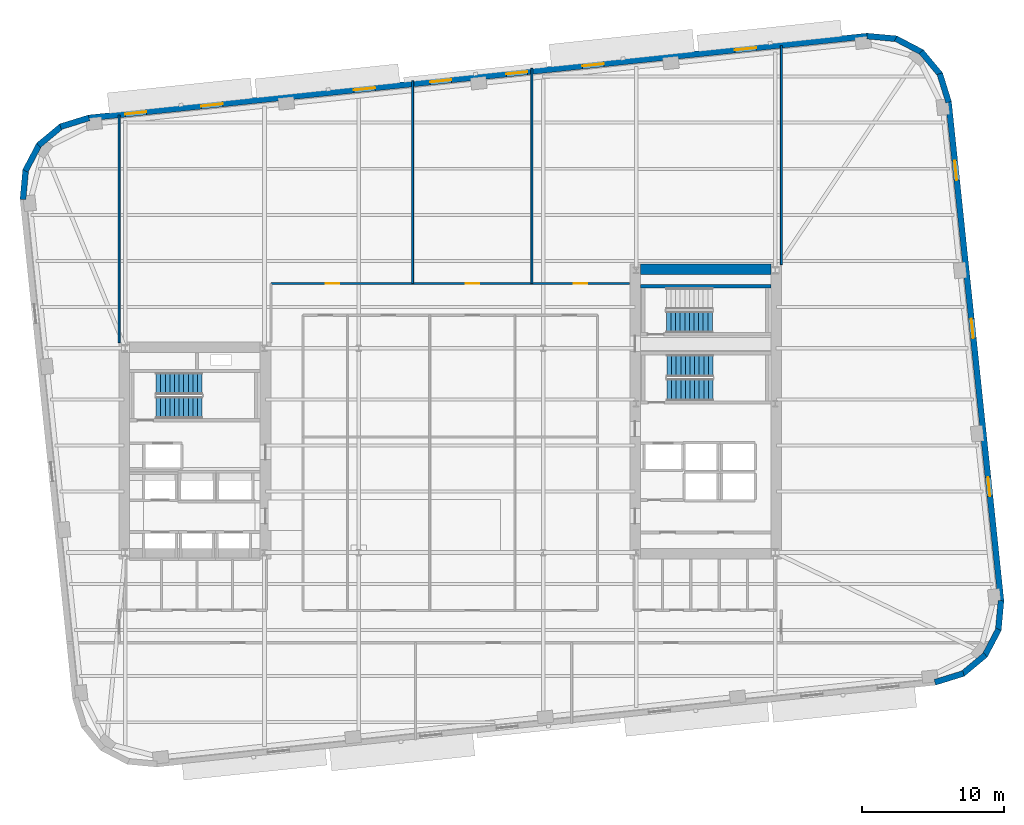
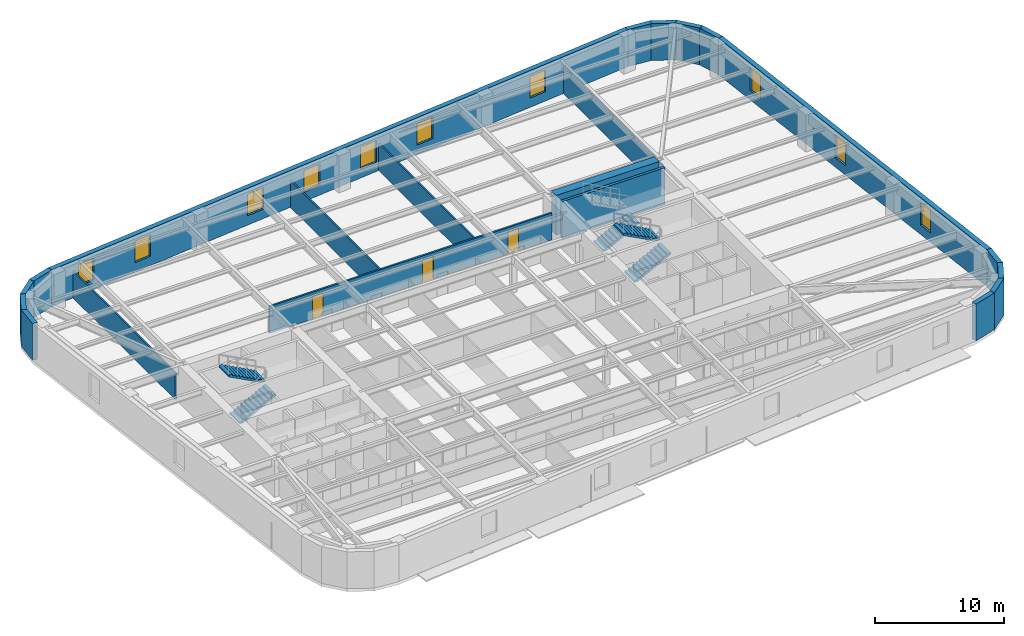
# One storey, part 7 of 12: 21 walls, 10 windows, 5 stair flights, 3 doors, 13 openings, 3 elements without a shape of their own.
"""IFC4 building model written with IfcOpenShell, lengths in metres."""

from ifc_helpers import new_model, si_unit, direction, frame, frame_2d, origin, place, context, subcontext, project, spatial, polyline, rectangle, outline, extrude, material, layer, layer_set, type_object, element, fill, aggregate, save


model = new_model("IFC4")

# Units and contexts
model_context = context("Model", 3, precision=1e-05, world=origin(), true_north=direction((0.0, 1.0)))
body_context = subcontext(model_context, "Body", "Model", "MODEL_VIEW")
ifc_project = project(units=[si_unit("LENGTHUNIT", "METRE"), si_unit("AREAUNIT", "SQUARE_METRE"), si_unit("VOLUMEUNIT", "CUBIC_METRE"), si_unit("PLANEANGLEUNIT", "RADIAN"), si_unit("MASSUNIT", "GRAM", prefix="KILO")], contexts=[model_context])

# Site, building, storey
site_placement = place(None, origin())
site = spatial("IfcSite", under=ifc_project, at=site_placement, CompositionType="ELEMENT")
building_placement = place(site_placement, origin())
building = spatial("IfcBuilding", under=site, at=building_placement, Name="Kolvaren Arena Tower", CompositionType="ELEMENT")
storey_placement = place(building_placement, frame((0.0, 0.0, 138.25)))
storey = spatial("IfcBuildingStorey", under=building, at=storey_placement, Name="L32", CompositionType="ELEMENT", Elevation=138.25)

# Wall, openings, doors
ifc_material_1 = material(Name="Gypsum board acoustic assembly", Category="gypsum")
ifc_layer_1 = layer(ifc_material_1, 0.159912109375)
ifc_layer_set_1 = layer_set([ifc_layer_1], Name="Gypsum board acoustic assembly")
wall_type_1 = type_object("IfcWallType", Name="CORR-160", PredefinedType="PARTITIONING", material=ifc_layer_set_1)
wall_1_placement = place(storey_placement, frame((24.820068359375, 38.419921875, 0.0), z_axis=(0.0, 0.0, 1.0), x_axis=(1.0, 0.0, 0.0)))
wall_1 = element("IfcWall", 1, at=wall_1_placement, inside=storey, type_object=wall_type_1, Name="Interior Partition Wall (L32)", PredefinedType="PARTITIONING", context=body_context, shape_type="SweptSolid", body=[
    extrude(rectangle(XDim=25.260009765625, YDim=0.159912109375, at=frame_2d((12.6298828125, 0.0))), origin(), (0.0, 0.0, 1.0), 2.5400390625),
])
opening_1_placement = place(wall_1_placement, frame((3.85498046875, 0.0, 0.0)))
opening_1 = element("IfcOpeningElement", 2, at=opening_1_placement, cuts=wall_1, Name="Opening D05", PredefinedType="OPENING", context=body_context, shape_type="SweptSolid", body=[
    extrude(rectangle(XDim=0.949951171875, YDim=2.14990234375, at=frame_2d((0.47509765625, 1.074951171875))), frame((0.0, 0.08984375, 0.0), z_axis=(0.0, -1.0, 0.0), x_axis=(1.0, 0.0, 0.0)), (0.0, 0.0, 1.0), 0.179931640625),
])
opening_2_placement = place(wall_1_placement, frame((13.705078125, 0.0, 0.0)))
opening_2 = element("IfcOpeningElement", 3, at=opening_2_placement, cuts=wall_1, Name="Opening D05", PredefinedType="OPENING", context=body_context, shape_type="SweptSolid", body=[
    extrude(rectangle(XDim=0.949951171875, YDim=2.14990234375, at=frame_2d((0.47509765625, 1.074951171875))), frame((0.0, 0.08984375, 0.0), z_axis=(0.0, -1.0, 0.0), x_axis=(1.0, 0.0, 0.0)), (0.0, 0.0, 1.0), 0.179931640625),
])
opening_3_placement = place(wall_1_placement, frame((21.330078125, 0.0, 0.0)))
opening_3 = element("IfcOpeningElement", 4, at=opening_3_placement, cuts=wall_1, Name="Opening D05", PredefinedType="OPENING", context=body_context, shape_type="SweptSolid", body=[
    extrude(rectangle(XDim=0.949951171875, YDim=2.14990234375, at=frame_2d((0.47509765625, 1.074951171875))), frame((0.0, 0.08984375, 0.0), z_axis=(0.0, -1.0, 0.0), x_axis=(1.0, 0.0, 0.0)), (0.0, 0.0, 1.0), 0.179931640625),
])
ifc_material_2 = material(Name="Solid-core oak acoustic office door", Category="wood")
door_type = type_object("IfcDoorType", Name="DOOR-OF-095", OperationType="NOTDEFINED", PredefinedType="DOOR", material=ifc_material_2)
door_1_placement = place(opening_1_placement, origin())
door_1 = element("IfcDoor", 5, at=door_1_placement, inside=storey, type_object=door_type, Name="Design Studio Door (L32)", OperationType="SINGLE_SWING_LEFT", OverallHeight=2.14990234375, OverallWidth=0.949951171875, PredefinedType="DOOR", context=body_context, shape_type="SweptSolid", body=[
    extrude(rectangle(XDim=0.949951171875, YDim=2.14990234375, at=frame_2d((0.47509765625, 1.074951171875))), frame((0.0, 0.02490234375, 0.0), z_axis=(0.0, -1.0, 0.0), x_axis=(1.0, 0.0, 0.0)), (0.0, 0.0, 1.0), 0.050048828125),
])
fill(opening_1, door_1)
door_2_placement = place(opening_2_placement, origin())
door_2 = element("IfcDoor", 6, at=door_2_placement, inside=storey, type_object=door_type, Name="Corporate Project Office Door (L32)", OperationType="SINGLE_SWING_RIGHT", OverallHeight=2.14990234375, OverallWidth=0.949951171875, PredefinedType="DOOR", context=body_context, shape_type="SweptSolid", body=[
    extrude(rectangle(XDim=0.949951171875, YDim=2.14990234375, at=frame_2d((0.47509765625, 1.074951171875))), frame((0.0, 0.02490234375, 0.0), z_axis=(0.0, -1.0, 0.0), x_axis=(1.0, 0.0, 0.0)), (0.0, 0.0, 1.0), 0.050048828125),
])
fill(opening_2, door_2)
door_3_placement = place(opening_3_placement, origin())
door_3 = element("IfcDoor", 7, at=door_3_placement, inside=storey, type_object=door_type, Name="Breakout Pantry and Kitchen Door (L32)", OperationType="SINGLE_SWING_LEFT", OverallHeight=2.14990234375, OverallWidth=0.949951171875, PredefinedType="DOOR", context=body_context, shape_type="SweptSolid", body=[
    extrude(rectangle(XDim=0.949951171875, YDim=2.14990234375, at=frame_2d((0.47509765625, 1.074951171875))), frame((0.0, 0.02490234375, 0.0), z_axis=(0.0, -1.0, 0.0), x_axis=(1.0, 0.0, 0.0)), (0.0, 0.0, 1.0), 0.050048828125),
])
fill(opening_3, door_3)

# Walls
ifc_material_3 = material(Name="Concrete 70 MPa", Category="concrete")
ifc_layer_2 = layer(ifc_material_3, 0.75)
ifc_layer_set_2 = layer_set([ifc_layer_2], Name="Concrete 70 MPa")
wall_type_2 = type_object("IfcWallType", Name="CWALL-750", PredefinedType="SHEAR", material=ifc_layer_set_2)
wall_2_placement = place(storey_placement, frame((50.85009765625, 39.425048828125, -0.27001953125), z_axis=(0.0, 0.0, 1.0), x_axis=(1.0, 0.0, 0.0)))
element("IfcWall", 8, at=wall_2_placement, inside=storey, type_object=wall_type_2, Name="Core Shear Wall EC-NORTH (L32)", PredefinedType="SHEAR", context=body_context, shape_type="SweptSolid", body=[
    extrude(rectangle(XDim=9.199951171875, YDim=0.75, at=frame_2d((4.60009765625, 0.0))), origin(), (0.0, 0.0, 1.0), 3.75),
])
ifc_material_4 = material(Name="Precast concrete C50/60", Category="concrete")
ifc_layer_3 = layer(ifc_material_4, 0.419921875)
ifc_layer_set_3 = layer_set([ifc_layer_3], Name="Precast concrete C50/60")
wall_type_3 = type_object("IfcWallType", Name="EXT-PIER1", PredefinedType="SOLIDWALL", material=ifc_layer_set_3)
for number, where, z_axis, x_axis, name in (
    (9, (73.61328125, 10.93701171875, 0.0), (0.0, 0.0, 1.0), (-0.954993985335, -0.296625164093, 0.0), "Exterior Precast Masonry-Frame Wall (L32)"),
    (10, (75.1611328125, 12.2451171875, 0.0), (0.0, 0.0, 1.0), (-0.768800317178, -0.639488914921, 0.0), "Exterior Precast Masonry-Frame Wall (L32)"),
):
    element("IfcWall", number, at=place(storey_placement, frame(where, z_axis=z_axis, x_axis=x_axis)), inside=storey, type_object=wall_type_3, Name=name, PredefinedType="SOLIDWALL", context=body_context, shape_type="SweptSolid", body=[
        extrude(rectangle(XDim=2.10693359375, YDim=0.419921875, at=frame_2d((1.053466796875, 0.0))), origin(), (0.0, 0.0, 1.0), 3.47998046875),
    ])
wall_3_placement = place(storey_placement, frame((76.0908203125, 14.046142578125, 0.0), z_axis=(0.0, 0.0, 1.0), x_axis=(-0.465655699908, -0.884965970613, 0.0)))
element("IfcWall", 11, at=wall_3_placement, inside=storey, type_object=wall_type_3, Name="Exterior Precast Masonry-Frame Wall (L32)", PredefinedType="SOLIDWALL", context=body_context, shape_type="SweptSolid", body=[
    extrude(rectangle(XDim=2.107177734375, YDim=0.419921875, at=frame_2d((1.0537109375, 0.0))), origin(), (0.0, 0.0, 1.0), 3.47998046875),
])
wall_4_placement = place(storey_placement, frame((76.26025390625, 16.065673828125, 0.0), z_axis=(0.0, 0.0, 1.0), x_axis=(-0.091538655308, -0.995801523691, 0.0)))
element("IfcWall", 12, at=wall_4_placement, inside=storey, type_object=wall_type_3, Name="Exterior Precast Masonry-Frame Wall (L32)", PredefinedType="SOLIDWALL", context=body_context, shape_type="SweptSolid", body=[
    extrude(rectangle(XDim=2.10693359375, YDim=0.419921875, at=frame_2d((1.053466796875, 0.0))), origin(), (0.0, 0.0, 1.0), 3.47998046875),
])

# Wall, openings, windows
wall_5_placement = place(storey_placement, frame((72.560302734375, 51.23046875, 0.0), z_axis=(0.0, 0.0, 1.0), x_axis=(0.1045253859, -0.994522218808, 0.0)))
wall_5 = element("IfcWall", 13, at=wall_5_placement, inside=storey, type_object=wall_type_3, Name="Exterior Precast Masonry-Frame Wall (L32)", PredefinedType="SOLIDWALL", context=body_context, shape_type="SweptSolid", body=[
    extrude(rectangle(XDim=35.39990234375, YDim=0.419921875, at=frame_2d((17.699951171875, 0.0))), origin(), (0.0, 0.0, 1.0), 3.47998046875),
])
opening_4_placement = place(wall_5_placement, frame((4.199951171875, 0.0, 0.8798828125)))
opening_4 = element("IfcOpeningElement", 14, at=opening_4_placement, cuts=wall_5, Name="Opening W04", PredefinedType="OPENING", context=body_context, shape_type="SweptSolid", body=[
    extrude(rectangle(XDim=1.35009765625, YDim=2.199951171875, at=frame_2d((0.675048828125, 1.10009765625))), frame((0.0, 0.219970703125, 0.0), z_axis=(0.0, -1.0, 0.0), x_axis=(1.0, 0.0, 0.0)), (0.0, 0.0, 1.0), 0.43994140625),
])
opening_5_placement = place(wall_5_placement, frame((15.39990234375, 0.0, 0.8798828125)))
opening_5 = element("IfcOpeningElement", 15, at=opening_5_placement, cuts=wall_5, Name="Opening W04", PredefinedType="OPENING", context=body_context, shape_type="SweptSolid", body=[
    extrude(rectangle(XDim=1.35009765625, YDim=2.199951171875, at=frame_2d((0.675048828125, 1.10009765625))), frame((0.0, 0.219970703125, 0.0), z_axis=(0.0, -1.0, 0.0), x_axis=(1.0, 0.0, 0.0)), (0.0, 0.0, 1.0), 0.43994140625),
])
opening_6_placement = place(wall_5_placement, frame((26.60009765625, 0.0, 0.8798828125)))
opening_6 = element("IfcOpeningElement", 16, at=opening_6_placement, cuts=wall_5, Name="Opening W04", PredefinedType="OPENING", context=body_context, shape_type="SweptSolid", body=[
    extrude(rectangle(XDim=1.35009765625, YDim=2.199951171875, at=frame_2d((0.675048828125, 1.10009765625))), frame((0.0, 0.219970703125, 0.0), z_axis=(0.0, -1.0, 0.0), x_axis=(1.0, 0.0, 0.0)), (0.0, 0.0, 1.0), 0.43994140625),
])
ifc_material_5 = material(Name="Triple-glazed curved-facet corner window", Category="glass")
window_type_1 = type_object("IfcWindowType", Name="WIN-CRN-A", PartitioningType="SINGLE_PANEL", PredefinedType="WINDOW", material=ifc_material_5)
window_1_placement = place(opening_4_placement, origin())
window_1 = element("IfcWindow", 17, at=window_1_placement, inside=storey, type_object=window_type_1, Name="End-Wall Punched Window (L32)", OverallHeight=2.199951171875, OverallWidth=1.35009765625, PartitioningType="SINGLE_PANEL", PredefinedType="WINDOW", context=body_context, shape_type="SweptSolid", body=[
    extrude(rectangle(XDim=1.35009765625, YDim=2.199951171875, at=frame_2d((0.675048828125, 1.10009765625))), frame((0.0, 0.030029296875, 0.0), z_axis=(0.0, -1.0, 0.0), x_axis=(1.0, 0.0, 0.0)), (0.0, 0.0, 1.0), 0.06005859375),
])
fill(opening_4, window_1)
window_2_placement = place(opening_5_placement, origin())
window_2 = element("IfcWindow", 18, at=window_2_placement, inside=storey, type_object=window_type_1, Name="End-Wall Punched Window (L32)", OverallHeight=2.199951171875, OverallWidth=1.35009765625, PartitioningType="SINGLE_PANEL", PredefinedType="WINDOW", context=body_context, shape_type="SweptSolid", body=[
    extrude(rectangle(XDim=1.35009765625, YDim=2.199951171875, at=frame_2d((0.675048828125, 1.10009765625))), frame((0.0, 0.030029296875, 0.0), z_axis=(0.0, -1.0, 0.0), x_axis=(1.0, 0.0, 0.0)), (0.0, 0.0, 1.0), 0.06005859375),
])
fill(opening_5, window_2)
window_3_placement = place(opening_6_placement, origin())
window_3 = element("IfcWindow", 19, at=window_3_placement, inside=storey, type_object=window_type_1, Name="End-Wall Punched Window (L32)", OverallHeight=2.199951171875, OverallWidth=1.35009765625, PartitioningType="SINGLE_PANEL", PredefinedType="WINDOW", context=body_context, shape_type="SweptSolid", body=[
    extrude(rectangle(XDim=1.35009765625, YDim=2.199951171875, at=frame_2d((0.675048828125, 1.10009765625))), frame((0.0, 0.030029296875, 0.0), z_axis=(0.0, -1.0, 0.0), x_axis=(1.0, 0.0, 0.0)), (0.0, 0.0, 1.0), 0.06005859375),
])
fill(opening_6, window_3)

# Walls
for number, where, z_axis, x_axis, name in (
    (20, (71.943603515625, 53.202392578125, 0.0), (0.0, 0.0, 1.0), (0.296625164093, -0.954993985335, 0.0), "Exterior Precast Masonry-Frame Wall (L32)"),
    (21, (70.635498046875, 54.750244140625, 0.0), (0.0, 0.0, 1.0), (0.639488914921, -0.768800317178, 0.0), "Exterior Precast Masonry-Frame Wall (L32)"),
    (22, (68.83447265625, 55.6796875, 0.0), (0.0, 0.0, 1.0), (0.885013714693, -0.465564952296, 0.0), "Exterior Precast Masonry-Frame Wall (L32)"),
    (23, (66.81494140625, 55.849365234375, 0.0), (0.0, 0.0, 1.0), (0.995801523691, -0.091538655308, 0.0), "Exterior Precast Masonry-Frame Wall (L32)"),
):
    element("IfcWall", number, at=place(storey_placement, frame(where, z_axis=z_axis, x_axis=x_axis)), inside=storey, type_object=wall_type_3, Name=name, PredefinedType="SOLIDWALL", context=body_context, shape_type="SweptSolid", body=[
        extrude(rectangle(XDim=2.10693359375, YDim=0.419921875, at=frame_2d((1.053466796875, 0.0))), origin(), (0.0, 0.0, 1.0), 3.47998046875),
    ])

# Wall, openings, windows
wall_6_placement = place(storey_placement, frame((11.95849609375, 50.07958984375, 0.0), z_axis=(0.0, 0.0, 1.0), x_axis=(0.994521823388, 0.104529148113, 0.0)))
wall_6 = element("IfcWall", 24, at=wall_6_placement, inside=storey, type_object=wall_type_3, Name="Exterior Precast Masonry-Frame Wall (L32)", PredefinedType="SOLIDWALL", context=body_context, shape_type="SweptSolid", body=[
    extrude(rectangle(XDim=55.2001953125, YDim=0.419921875, at=frame_2d((27.60009765625, 0.0))), origin(), (0.0, 0.0, 1.0), 3.47998046875),
])
opening_7_placement = place(wall_6_placement, frame((2.60009765625, 0.0, 0.8798828125)))
opening_7 = element("IfcOpeningElement", 25, at=opening_7_placement, cuts=wall_6, Name="Opening W03", PredefinedType="OPENING", context=body_context, shape_type="SweptSolid", body=[
    extrude(rectangle(XDim=1.5, YDim=2.050048828125, at=frame_2d((0.75, 1.02490234375))), frame((0.0, 0.219970703125, 0.0), z_axis=(0.0, -1.0, 0.0), x_axis=(1.0, 0.0, 0.0)), (0.0, 0.0, 1.0), 0.43994140625),
])
opening_8_placement = place(wall_6_placement, frame((8.0, 0.0, 0.8798828125)))
opening_8 = element("IfcOpeningElement", 26, at=opening_8_placement, cuts=wall_6, Name="Opening W03", PredefinedType="OPENING", context=body_context, shape_type="SweptSolid", body=[
    extrude(rectangle(XDim=1.5, YDim=2.050048828125, at=frame_2d((0.75, 1.02490234375))), frame((0.0, 0.219970703125, 0.0), z_axis=(0.0, -1.0, 0.0), x_axis=(1.0, 0.0, 0.0)), (0.0, 0.0, 1.0), 0.43994140625),
])
opening_9_placement = place(wall_6_placement, frame((18.800048828125, 0.0, 0.8798828125)))
opening_9 = element("IfcOpeningElement", 27, at=opening_9_placement, cuts=wall_6, Name="Opening W03", PredefinedType="OPENING", context=body_context, shape_type="SweptSolid", body=[
    extrude(rectangle(XDim=1.5, YDim=2.050048828125, at=frame_2d((0.75, 1.02490234375))), frame((0.0, 0.219970703125, 0.0), z_axis=(0.0, -1.0, 0.0), x_axis=(1.0, 0.0, 0.0)), (0.0, 0.0, 1.0), 0.43994140625),
])
opening_10_placement = place(wall_6_placement, frame((24.199951171875, 0.0, 0.8798828125)))
opening_10 = element("IfcOpeningElement", 28, at=opening_10_placement, cuts=wall_6, Name="Opening W03", PredefinedType="OPENING", context=body_context, shape_type="SweptSolid", body=[
    extrude(rectangle(XDim=1.5, YDim=2.050048828125, at=frame_2d((0.75, 1.02490234375))), frame((0.0, 0.219970703125, 0.0), z_axis=(0.0, -1.0, 0.0), x_axis=(1.0, 0.0, 0.0)), (0.0, 0.0, 1.0), 0.43994140625),
])
opening_11_placement = place(wall_6_placement, frame((29.60009765625, 0.0, 0.8798828125)))
opening_11 = element("IfcOpeningElement", 29, at=opening_11_placement, cuts=wall_6, Name="Opening W03", PredefinedType="OPENING", context=body_context, shape_type="SweptSolid", body=[
    extrude(rectangle(XDim=1.5, YDim=2.050048828125, at=frame_2d((0.75, 1.02490234375))), frame((0.0, 0.219970703125, 0.0), z_axis=(0.0, -1.0, 0.0), x_axis=(1.0, 0.0, 0.0)), (0.0, 0.0, 1.0), 0.43994140625),
])
opening_12_placement = place(wall_6_placement, frame((35.0, 0.0, 0.8798828125)))
opening_12 = element("IfcOpeningElement", 30, at=opening_12_placement, cuts=wall_6, Name="Opening W03", PredefinedType="OPENING", context=body_context, shape_type="SweptSolid", body=[
    extrude(rectangle(XDim=1.5, YDim=2.050048828125, at=frame_2d((0.75, 1.02490234375))), frame((0.0, 0.219970703125, 0.0), z_axis=(0.0, -1.0, 0.0), x_axis=(1.0, 0.0, 0.0)), (0.0, 0.0, 1.0), 0.43994140625),
])
opening_13_placement = place(wall_6_placement, frame((45.800048828125, 0.0, 0.8798828125)))
opening_13 = element("IfcOpeningElement", 31, at=opening_13_placement, cuts=wall_6, Name="Opening W03", PredefinedType="OPENING", context=body_context, shape_type="SweptSolid", body=[
    extrude(rectangle(XDim=1.5, YDim=2.050048828125, at=frame_2d((0.75, 1.02490234375))), frame((0.0, 0.219970703125, 0.0), z_axis=(0.0, -1.0, 0.0), x_axis=(1.0, 0.0, 0.0)), (0.0, 0.0, 1.0), 0.43994140625),
])
ifc_material_6 = material(Name="Triple-glazed low-E aluminium window", Category="aluminium")
window_type_2 = type_object("IfcWindowType", Name="WIN-OFF-C", PartitioningType="SINGLE_PANEL", PredefinedType="WINDOW", material=ifc_material_6)
window_4_placement = place(opening_7_placement, origin())
window_4 = element("IfcWindow", 32, at=window_4_placement, inside=storey, type_object=window_type_2, Name="Punched Precast-Pier Window (L32)", OverallHeight=2.050048828125, OverallWidth=1.5, PartitioningType="SINGLE_PANEL", PredefinedType="WINDOW", context=body_context, shape_type="SweptSolid", body=[
    extrude(rectangle(XDim=1.5, YDim=2.050048828125, at=frame_2d((0.75, 1.02490234375))), frame((0.0, 0.030029296875, 0.0), z_axis=(0.0, -1.0, 0.0), x_axis=(1.0, 0.0, 0.0)), (0.0, 0.0, 1.0), 0.06005859375),
])
fill(opening_7, window_4)
window_5_placement = place(opening_8_placement, origin())
window_5 = element("IfcWindow", 33, at=window_5_placement, inside=storey, type_object=window_type_2, Name="Punched Precast-Pier Window (L32)", OverallHeight=2.050048828125, OverallWidth=1.5, PartitioningType="SINGLE_PANEL", PredefinedType="WINDOW", context=body_context, shape_type="SweptSolid", body=[
    extrude(rectangle(XDim=1.5, YDim=2.050048828125, at=frame_2d((0.75, 1.02490234375))), frame((0.0, 0.030029296875, 0.0), z_axis=(0.0, -1.0, 0.0), x_axis=(1.0, 0.0, 0.0)), (0.0, 0.0, 1.0), 0.06005859375),
])
fill(opening_8, window_5)
window_6_placement = place(opening_9_placement, origin())
window_6 = element("IfcWindow", 34, at=window_6_placement, inside=storey, type_object=window_type_2, Name="Punched Precast-Pier Window (L32)", OverallHeight=2.050048828125, OverallWidth=1.5, PartitioningType="SINGLE_PANEL", PredefinedType="WINDOW", context=body_context, shape_type="SweptSolid", body=[
    extrude(rectangle(XDim=1.5, YDim=2.050048828125, at=frame_2d((0.75, 1.02490234375))), frame((0.0, 0.030029296875, 0.0), z_axis=(0.0, -1.0, 0.0), x_axis=(1.0, 0.0, 0.0)), (0.0, 0.0, 1.0), 0.06005859375),
])
fill(opening_9, window_6)
window_7_placement = place(opening_10_placement, origin())
window_7 = element("IfcWindow", 35, at=window_7_placement, inside=storey, type_object=window_type_2, Name="Punched Precast-Pier Window (L32)", OverallHeight=2.050048828125, OverallWidth=1.5, PartitioningType="SINGLE_PANEL", PredefinedType="WINDOW", context=body_context, shape_type="SweptSolid", body=[
    extrude(rectangle(XDim=1.5, YDim=2.050048828125, at=frame_2d((0.75, 1.02490234375))), frame((0.0, 0.030029296875, 0.0), z_axis=(0.0, -1.0, 0.0), x_axis=(1.0, 0.0, 0.0)), (0.0, 0.0, 1.0), 0.06005859375),
])
fill(opening_10, window_7)
window_8_placement = place(opening_11_placement, origin())
window_8 = element("IfcWindow", 36, at=window_8_placement, inside=storey, type_object=window_type_2, Name="Punched Precast-Pier Window (L32)", OverallHeight=2.050048828125, OverallWidth=1.5, PartitioningType="SINGLE_PANEL", PredefinedType="WINDOW", context=body_context, shape_type="SweptSolid", body=[
    extrude(rectangle(XDim=1.5, YDim=2.050048828125, at=frame_2d((0.75, 1.02490234375))), frame((0.0, 0.030029296875, 0.0), z_axis=(0.0, -1.0, 0.0), x_axis=(1.0, 0.0, 0.0)), (0.0, 0.0, 1.0), 0.06005859375),
])
fill(opening_11, window_8)
window_9_placement = place(opening_12_placement, origin())
window_9 = element("IfcWindow", 37, at=window_9_placement, inside=storey, type_object=window_type_2, Name="Punched Precast-Pier Window (L32)", OverallHeight=2.050048828125, OverallWidth=1.5, PartitioningType="SINGLE_PANEL", PredefinedType="WINDOW", context=body_context, shape_type="SweptSolid", body=[
    extrude(rectangle(XDim=1.5, YDim=2.050048828125, at=frame_2d((0.75, 1.02490234375))), frame((0.0, 0.030029296875, 0.0), z_axis=(0.0, -1.0, 0.0), x_axis=(1.0, 0.0, 0.0)), (0.0, 0.0, 1.0), 0.06005859375),
])
fill(opening_12, window_9)
window_10_placement = place(opening_13_placement, origin())
window_10 = element("IfcWindow", 38, at=window_10_placement, inside=storey, type_object=window_type_2, Name="Punched Precast-Pier Window (L32)", OverallHeight=2.050048828125, OverallWidth=1.5, PartitioningType="SINGLE_PANEL", PredefinedType="WINDOW", context=body_context, shape_type="SweptSolid", body=[
    extrude(rectangle(XDim=1.5, YDim=2.050048828125, at=frame_2d((0.75, 1.02490234375))), frame((0.0, 0.030029296875, 0.0), z_axis=(0.0, -1.0, 0.0), x_axis=(1.0, 0.0, 0.0)), (0.0, 0.0, 1.0), 0.06005859375),
])
fill(opening_13, window_10)

# Walls
wall_7_placement = place(storey_placement, frame((9.98681640625, 49.463134765625, 0.0), z_axis=(0.0, 0.0, 1.0), x_axis=(0.955016613791, 0.296552301261, 0.0)))
element("IfcWall", 39, at=wall_7_placement, inside=storey, type_object=wall_type_3, Name="Exterior Precast Masonry-Frame Wall (L32)", PredefinedType="SOLIDWALL", context=body_context, shape_type="SweptSolid", body=[
    extrude(rectangle(XDim=2.106689453125, YDim=0.419921875, at=frame_2d((1.05322265625, 0.0))), origin(), (0.0, 0.0, 1.0), 3.47998046875),
])
wall_8_placement = place(storey_placement, frame((8.438720703125, 48.15478515625, 0.0), z_axis=(0.0, 0.0, 1.0), x_axis=(0.768800317178, 0.639488914921, 0.0)))
element("IfcWall", 40, at=wall_8_placement, inside=storey, type_object=wall_type_3, Name="Exterior Precast Masonry-Frame Wall (L32)", PredefinedType="SOLIDWALL", context=body_context, shape_type="SweptSolid", body=[
    extrude(rectangle(XDim=2.10693359375, YDim=0.419921875, at=frame_2d((1.053466796875, 0.0))), origin(), (0.0, 0.0, 1.0), 3.47998046875),
])
wall_9_placement = place(storey_placement, frame((7.50927734375, 46.35400390625, 0.0), z_axis=(0.0, 0.0, 1.0), x_axis=(0.465612698516, 0.884988595961, 0.0)))
element("IfcWall", 41, at=wall_9_placement, inside=storey, type_object=wall_type_3, Name="Exterior Precast Masonry-Frame Wall (L32)", PredefinedType="SOLIDWALL", context=body_context, shape_type="SweptSolid", body=[
    extrude(rectangle(XDim=2.106689453125, YDim=0.419921875, at=frame_2d((1.05322265625, 0.0))), origin(), (0.0, 0.0, 1.0), 3.47998046875),
])
wall_10_placement = place(storey_placement, frame((7.339599609375, 44.33447265625, 0.0), z_axis=(0.0, 0.0, 1.0), x_axis=(0.091538655308, 0.995801523691, 0.0)))
element("IfcWall", 42, at=wall_10_placement, inside=storey, type_object=wall_type_3, Name="Exterior Precast Masonry-Frame Wall (L32)", PredefinedType="SOLIDWALL", context=body_context, shape_type="SweptSolid", body=[
    extrude(rectangle(XDim=2.10693359375, YDim=0.419921875, at=frame_2d((1.053466796875, 0.0))), origin(), (0.0, 0.0, 1.0), 3.47998046875),
])
ifc_material_7 = material(Name="Gypsum board partition assembly", Category="gypsum")
ifc_layer_4 = layer(ifc_material_7, 0.135009765625)
ifc_layer_set_4 = layer_set([ifc_layer_4], Name="Gypsum board partition assembly")
wall_type_4 = type_object("IfcWallType", Name="PART-135", PredefinedType="PARTITIONING", material=ifc_layer_set_4)
wall_11_placement = place(storey_placement, frame((34.800048828125, 38.419921875, 0.0), z_axis=(0.0, 0.0, 1.0), x_axis=(0.0, 1.0, 0.0)))
element("IfcWall", 43, at=wall_11_placement, inside=storey, type_object=wall_type_4, Name="Interior Partition Wall (L32)", PredefinedType="PARTITIONING", context=body_context, shape_type="SweptSolid", body=[
    extrude(rectangle(XDim=14.271484375, YDim=0.135009765625, at=frame_2d((7.1357421875, 0.0))), origin(), (0.0, 0.0, 1.0), 2.5400390625),
])
wall_12_placement = place(storey_placement, frame((43.199951171875, 38.419921875, 0.0), z_axis=(0.0, 0.0, 1.0), x_axis=(0.0, 1.0, 0.0)))
element("IfcWall", 44, at=wall_12_placement, inside=storey, type_object=wall_type_4, Name="Interior Partition Wall (L32)", PredefinedType="PARTITIONING", context=body_context, shape_type="SweptSolid", body=[
    extrude(rectangle(XDim=15.154541015625, YDim=0.135009765625, at=frame_2d((7.5771484375, 0.0))), origin(), (0.0, 0.0, 1.0), 2.5400390625),
])
wall_13_placement = place(storey_placement, frame((14.1201171875, 34.25, 0.0), z_axis=(0.0, 0.0, 1.0), x_axis=(0.0, 1.0, 0.0)))
element("IfcWall", 45, at=wall_13_placement, inside=storey, type_object=wall_type_4, Name="Interior Partition Wall (L32)", PredefinedType="PARTITIONING", context=body_context, shape_type="SweptSolid", body=[
    extrude(rectangle(XDim=16.026611328125, YDim=0.135009765625, at=frame_2d((8.01318359375, 0.0))), origin(), (0.0, 0.0, 1.0), 2.5400390625),
])
wall_14_placement = place(storey_placement, frame((60.780029296875, 39.75, 0.0), z_axis=(0.0, 0.0, 1.0), x_axis=(0.0, 1.0, 0.0)))
element("IfcWall", 46, at=wall_14_placement, inside=storey, type_object=wall_type_4, Name="Interior Partition Wall (L32)", PredefinedType="PARTITIONING", context=body_context, shape_type="SweptSolid", body=[
    extrude(rectangle(XDim=15.430908203125, YDim=0.135009765625, at=frame_2d((7.71533203125, 0.0))), origin(), (0.0, 0.0, 1.0), 2.5400390625),
])
ifc_material_8 = material(Name="Concrete 45 MPa", Category="concrete")
ifc_layer_5 = layer(ifc_material_8, 0.25)
ifc_layer_set_5 = layer_set([ifc_layer_5], Name="Concrete 45 MPa")
wall_type_5 = type_object("IfcWallType", Name="SHAFT-250", PredefinedType="SOLIDWALL", material=ifc_layer_set_5)
wall_15_placement = place(storey_placement, frame((50.85009765625, 38.219970703125, 0.0), z_axis=(0.0, 0.0, 1.0), x_axis=(1.0, 0.0, 0.0)))
element("IfcWall", 47, at=wall_15_placement, inside=storey, type_object=wall_type_5, Name="Core Shaft Wall (L32)", PredefinedType="SOLIDWALL", context=body_context, shape_type="SweptSolid", body=[
    extrude(rectangle(XDim=9.199951171875, YDim=0.239990234375, at=frame_2d((4.60009765625, 0.0))), origin(), (0.0, 0.0, 1.0), 3.47998046875),
])

# Stair, stair flight
stair_type_1 = type_object("IfcStairType", Name="STAIR-CORE-150", PredefinedType="HALF_TURN_STAIR", material=ifc_material_8)
stair_1_placement = place(storey_placement, origin())
stair_1 = element("IfcStair", 48, at=stair_1_placement, inside=storey, type_object=stair_type_1, Name="L32 ST-E2", PredefinedType="HALF_TURN_STAIR")
stair_flight_type_1 = type_object("IfcStairFlightType", Name="FLT-150", PredefinedType="STRAIGHT", material=ifc_material_8)
stair_flight_1_placement = place(storey_placement, frame((52.679931640625, 35.699951171875, 0.0), z_axis=(0.0, 0.0, 1.0), x_axis=(1.0, 0.0, 0.0)))
stair_flight_1 = element("IfcStairFlight", 49, at=stair_flight_1_placement, type_object=stair_flight_type_1, Name="ST-E2 flight 1", NumberOfRisers=11, NumberOfTreads=10, PredefinedType="STRAIGHT", RiserHeight=0.170454545, TreadLength=0.324, context=body_context, shape_type="SweptSolid", body=[
    extrude(outline(polyline([(0.0, 0.0), (0.0, 0.17041015625), (0.323974609375, 0.17041015625), (0.323974609375, 0.3408203125), (0.64794921875, 0.3408203125), (0.64794921875, 0.511474609375), (0.971923828125, 0.511474609375), (0.971923828125, 0.681884765625), (1.2958984375, 0.681884765625), (1.2958984375, 0.852294921875), (1.6201171875, 0.852294921875), (1.6201171875, 1.022705078125), (1.944091796875, 1.022705078125), (1.944091796875, 1.193115234375), (2.26806640625, 1.193115234375), (2.26806640625, 1.363525390625), (2.592041015625, 1.363525390625), (2.592041015625, 1.5341796875), (2.916015625, 1.5341796875), (2.916015625, 1.70458984375), (3.239990234375, 1.70458984375), (3.239990234375, 1.875), (3.239990234375, 1.53515625), (0.322021484375, 0.0), (0.0, 0.0)])), frame((0.0, 0.75, 0.0), z_axis=(0.0, -1.0, 0.0), x_axis=(1.0, 0.0, 0.0)), (0.0, 0.0, 1.0), 1.5),
])
aggregate(stair_1, [stair_flight_1])

# Stair, stair flights
stair_type_2 = type_object("IfcStairType", Name="STAIR-CORE-165", PredefinedType="HALF_TURN_STAIR", material=ifc_material_8)
stair_2_placement = place(storey_placement, origin())
stair_2 = element("IfcStair", 50, at=stair_2_placement, inside=storey, type_object=stair_type_2, Name="L32 ST-W1", PredefinedType="HALF_TURN_STAIR")
stair_flight_type_2 = type_object("IfcStairFlightType", Name="FLT-165", PredefinedType="STRAIGHT", material=ifc_material_8)
stair_flight_2_placement = place(storey_placement, frame((16.719970703125, 29.669921875, 0.0), z_axis=(0.0, 0.0, 1.0), x_axis=(1.0, 0.0, 0.0)))
stair_flight_2 = element("IfcStairFlight", 51, at=stair_flight_2_placement, type_object=stair_flight_type_2, Name="ST-W1 flight 1", NumberOfRisers=11, NumberOfTreads=10, PredefinedType="STRAIGHT", RiserHeight=0.170454545, TreadLength=0.324, context=body_context, shape_type="SweptSolid", body=[
    extrude(outline(polyline([(0.0, 0.0), (0.0, 0.17041015625), (0.323974609375, 0.17041015625), (0.323974609375, 0.3408203125), (0.64794921875, 0.3408203125), (0.64794921875, 0.511474609375), (0.971923828125, 0.511474609375), (0.971923828125, 0.681884765625), (1.2958984375, 0.681884765625), (1.2958984375, 0.852294921875), (1.6201171875, 0.852294921875), (1.6201171875, 1.022705078125), (1.944091796875, 1.022705078125), (1.944091796875, 1.193115234375), (2.26806640625, 1.193115234375), (2.26806640625, 1.363525390625), (2.592041015625, 1.363525390625), (2.592041015625, 1.5341796875), (2.916015625, 1.5341796875), (2.916015625, 1.70458984375), (3.239990234375, 1.70458984375), (3.239990234375, 1.875), (3.239990234375, 1.53515625), (0.322021484375, 0.0), (0.0, 0.0)])), frame((0.0, 0.77001953125, 0.0), z_axis=(0.0, -1.0, 0.0), x_axis=(1.0, 0.0, 0.0)), (0.0, 0.0, 1.0), 1.5400390625),
])
stair_flight_3_placement = place(storey_placement, frame((19.9599609375, 31.360107421875, 1.875), z_axis=(0.0, 0.0, 1.0), x_axis=(-1.0, 0.0, 0.0)))
stair_flight_3 = element("IfcStairFlight", 52, at=stair_flight_3_placement, type_object=stair_flight_type_2, Name="ST-W1 flight 2", NumberOfRisers=11, NumberOfTreads=10, PredefinedType="STRAIGHT", RiserHeight=0.170454545, TreadLength=0.324, context=body_context, shape_type="SweptSolid", body=[
    extrude(outline(polyline([(0.0, 0.0), (0.0, 0.17041015625), (0.323974609375, 0.17041015625), (0.323974609375, 0.3408203125), (0.64794921875, 0.3408203125), (0.64794921875, 0.511474609375), (0.971923828125, 0.511474609375), (0.971923828125, 0.681884765625), (1.2958984375, 0.681884765625), (1.2958984375, 0.852294921875), (1.6201171875, 0.852294921875), (1.6201171875, 1.022705078125), (1.944091796875, 1.022705078125), (1.944091796875, 1.193115234375), (2.26806640625, 1.193115234375), (2.26806640625, 1.363525390625), (2.592041015625, 1.363525390625), (2.592041015625, 1.5341796875), (2.916015625, 1.5341796875), (2.916015625, 1.70458984375), (3.239990234375, 1.70458984375), (3.239990234375, 1.875), (3.239990234375, 1.53515625), (0.322021484375, 0.0), (0.0, 0.0)])), frame((0.0, 0.77001953125, 0.0), z_axis=(0.0, -1.0, 0.0), x_axis=(1.0, 0.0, 0.0)), (0.0, 0.0, 1.0), 1.5400390625),
])
aggregate(stair_2, [stair_flight_2, stair_flight_3])

stair_3_placement = place(storey_placement, origin())
stair_3 = element("IfcStair", 53, at=stair_3_placement, inside=storey, type_object=stair_type_2, Name="L32 ST-E1", PredefinedType="HALF_TURN_STAIR")
stair_flight_4_placement = place(storey_placement, frame((52.719970703125, 30.919921875, 0.0), z_axis=(0.0, 0.0, 1.0), x_axis=(1.0, 0.0, 0.0)))
stair_flight_4 = element("IfcStairFlight", 54, at=stair_flight_4_placement, type_object=stair_flight_type_2, Name="ST-E1 flight 1", NumberOfRisers=11, NumberOfTreads=10, PredefinedType="STRAIGHT", RiserHeight=0.170454545, TreadLength=0.324, context=body_context, shape_type="SweptSolid", body=[
    extrude(outline(polyline([(0.0, 0.0), (0.0, 0.17041015625), (0.323974609375, 0.17041015625), (0.323974609375, 0.3408203125), (0.64794921875, 0.3408203125), (0.64794921875, 0.511474609375), (0.971923828125, 0.511474609375), (0.971923828125, 0.681884765625), (1.2958984375, 0.681884765625), (1.2958984375, 0.852294921875), (1.6201171875, 0.852294921875), (1.6201171875, 1.022705078125), (1.944091796875, 1.022705078125), (1.944091796875, 1.193115234375), (2.26806640625, 1.193115234375), (2.26806640625, 1.363525390625), (2.592041015625, 1.363525390625), (2.592041015625, 1.5341796875), (2.916015625, 1.5341796875), (2.916015625, 1.70458984375), (3.239990234375, 1.70458984375), (3.239990234375, 1.875), (3.239990234375, 1.53515625), (0.322021484375, 0.0), (0.0, 0.0)])), frame((0.0, 0.77001953125, 0.0), z_axis=(0.0, -1.0, 0.0), x_axis=(1.0, 0.0, 0.0)), (0.0, 0.0, 1.0), 1.5400390625),
])
stair_flight_5_placement = place(storey_placement, frame((55.9599609375, 32.610107421875, 1.875), z_axis=(0.0, 0.0, 1.0), x_axis=(-1.0, 0.0, 0.0)))
stair_flight_5 = element("IfcStairFlight", 55, at=stair_flight_5_placement, type_object=stair_flight_type_2, Name="ST-E1 flight 2", NumberOfRisers=11, NumberOfTreads=10, PredefinedType="STRAIGHT", RiserHeight=0.170454545, TreadLength=0.324, context=body_context, shape_type="SweptSolid", body=[
    extrude(outline(polyline([(0.0, 0.0), (0.0, 0.17041015625), (0.323974609375, 0.17041015625), (0.323974609375, 0.3408203125), (0.64794921875, 0.3408203125), (0.64794921875, 0.511474609375), (0.971923828125, 0.511474609375), (0.971923828125, 0.681884765625), (1.2958984375, 0.681884765625), (1.2958984375, 0.852294921875), (1.6201171875, 0.852294921875), (1.6201171875, 1.022705078125), (1.944091796875, 1.022705078125), (1.944091796875, 1.193115234375), (2.26806640625, 1.193115234375), (2.26806640625, 1.363525390625), (2.592041015625, 1.363525390625), (2.592041015625, 1.5341796875), (2.916015625, 1.5341796875), (2.916015625, 1.70458984375), (3.239990234375, 1.70458984375), (3.239990234375, 1.875), (3.239990234375, 1.53515625), (0.322021484375, 0.0), (0.0, 0.0)])), frame((0.0, 0.77001953125, 0.0), z_axis=(0.0, -1.0, 0.0), x_axis=(1.0, 0.0, 0.0)), (0.0, 0.0, 1.0), 1.5400390625),
])
aggregate(stair_3, [stair_flight_4, stair_flight_5])

save(model, "model.ifc")
